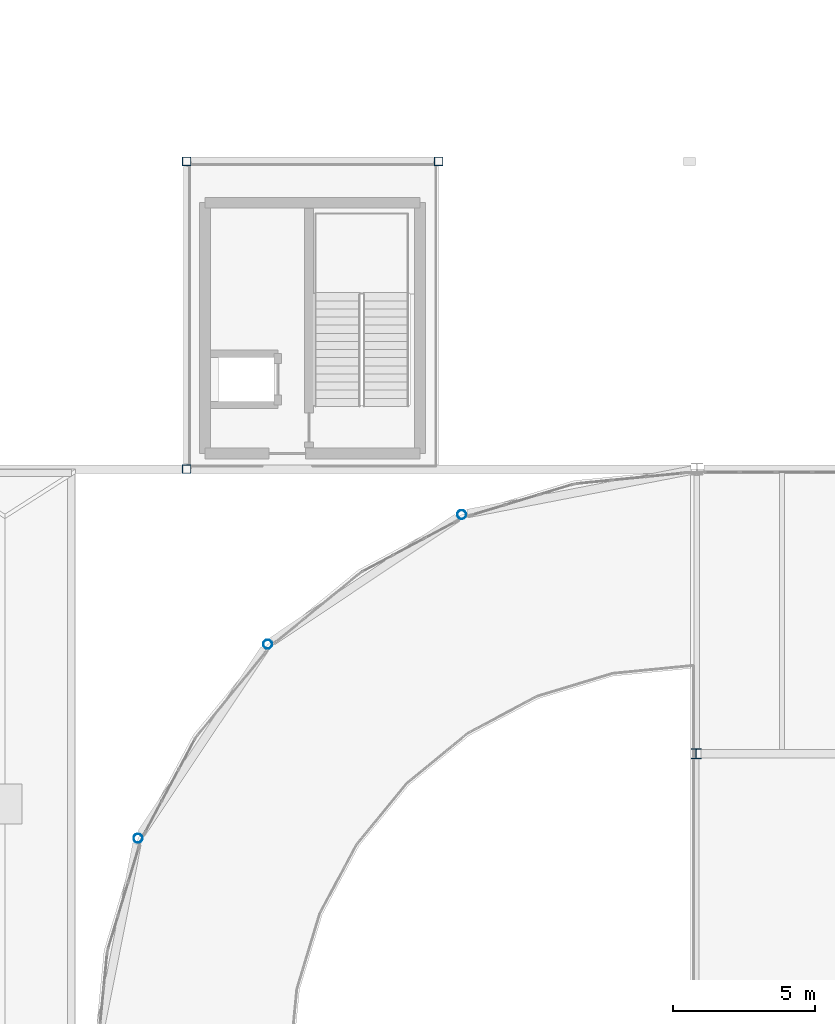
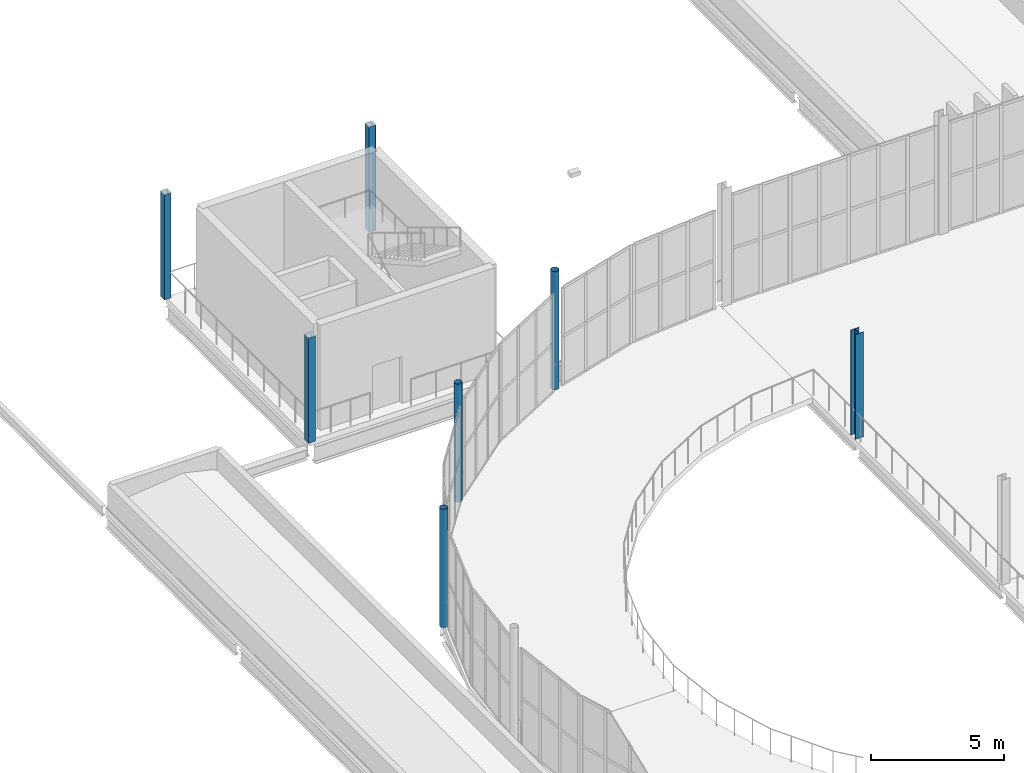
# One storey, part 7 of 112: 7 columns.
"""IFC4 building model written with IfcOpenShell, lengths in metres."""

from ifc_helpers import new_model, si_unit, direction, frame, origin, origin_2d, place, context, subcontext, project, spatial, hollow_rectangle, hollow_circle, i_section, extrude, material, material_profile, profile_set, type_object, element, save


model = new_model("IFC4")

# Units and contexts
model_context = context("Model", 3, precision=1e-05, world=origin(), true_north=direction((0.0, 1.0)))
body_context = subcontext(model_context, "Body", "Model", "MODEL_VIEW")
ifc_project = project(units=[si_unit("LENGTHUNIT", "METRE"), si_unit("AREAUNIT", "SQUARE_METRE"), si_unit("VOLUMEUNIT", "CUBIC_METRE"), si_unit("PLANEANGLEUNIT", "RADIAN"), si_unit("MASSUNIT", "GRAM", prefix="KILO")], contexts=[model_context])

# Site, building, storey
site_placement = place(None, origin())
site = spatial("IfcSite", under=ifc_project, at=site_placement, CompositionType="ELEMENT")
building_placement = place(site_placement, origin())
building = spatial("IfcBuilding", under=site, at=building_placement, Name="Yeouljin Market Hall", CompositionType="ELEMENT")
storey_placement = place(building_placement, frame((0.0, 0.0, 6.0)))
storey = spatial("IfcBuildingStorey", under=building, at=storey_placement, Name="L01", CompositionType="ELEMENT", Elevation=6.0)

# Columns
ifc_material_1 = material(Name="Steel SM355", Category="steel")
ifc_material_profile_1 = material_profile(ifc_material_1, hollow_circle(Radius=0.1591796875, WallThickness=0.010009765625, at=origin_2d()), Name="CHS-318.5x10")
ifc_profile_set_1 = profile_set([ifc_material_profile_1], Name="Steel SM355")
column_type_1 = type_object("IfcColumnType", Name="Col_CHS-318.5x10", PredefinedType="COLUMN", material=ifc_profile_set_1)
for number, where, z_axis, x_axis, name in (
    (1, (15.99853515625, 65.036376953125, 0.0), (0.0, 0.0, 1.0), (1.0, 0.0, 0.0), "Column AP-W10 (L01)"),
    (2, (20.55078125, 71.84912109375, 0.0), (0.0, 0.0, 1.0), (1.0, 0.0, 0.0), "Column AP-W12 (L01)"),
    (3, (27.363525390625, 76.401611328125, 0.0), (0.0, 0.0, 1.0), (1.0, 0.0, 0.0), "Column AP-W14 (L01)"),
):
    element("IfcColumn", number, at=place(storey_placement, frame(where, z_axis=z_axis, x_axis=x_axis)), inside=storey, type_object=column_type_1, Name=name, PredefinedType="COLUMN", context=body_context, shape_type="SweptSolid", body=[
        extrude(hollow_circle(Radius=0.1591796875, WallThickness=0.010009765625, at=origin_2d()), origin(), (0.0, 0.0, 1.0), 5.39990234375),
    ])
ifc_material_2 = material(Name="Steel SM355", Category="steel")
ifc_material_profile_2 = material_profile(ifc_material_2, i_section(OverallWidth=0.35009765625, OverallDepth=0.35009765625, WebThickness=0.011962890625, FlangeThickness=0.01904296875, FilletRadius=0.02001953125, at=origin_2d()), Name="H-350x350x12x19")
ifc_profile_set_2 = profile_set([ifc_material_profile_2], Name="Steel SM355")
column_type_2 = type_object("IfcColumnType", Name="Col_H-350x350x12x19", PredefinedType="COLUMN", material=ifc_profile_set_2)
column_placement = place(storey_placement, frame((35.590087890625, 68.0, 0.0), z_axis=(0.0, 0.0, 1.0), x_axis=(1.0, 0.0, 0.0)))
element("IfcColumn", 4, at=column_placement, inside=storey, type_object=column_type_2, Name="Column G-05-07 (L01)", PredefinedType="COLUMN", context=body_context, shape_type="SweptSolid", body=[
    extrude(i_section(OverallWidth=0.35009765625, OverallDepth=0.35009765625, WebThickness=0.011962890625, FlangeThickness=0.01904296875, FilletRadius=0.02001953125, at=origin_2d()), origin(), (0.0, 0.0, 1.0), 4.800048828125),
])
ifc_material_3 = material(Name="Steel SM355", Category="steel")
ifc_material_profile_3 = material_profile(ifc_material_3, hollow_rectangle(XDim=0.300048828125, YDim=0.300048828125, WallThickness=0.010009765625, InnerFilletRadius=0.010009765625, OuterFilletRadius=0.01611328125, at=origin_2d()), Name="SHS-300x300x10")
ifc_profile_set_3 = profile_set([ifc_material_profile_3], Name="Steel SM355")
column_type_3 = type_object("IfcColumnType", Name="Col_SHS-300x300x10", PredefinedType="COLUMN", material=ifc_profile_set_3)
for number, where, z_axis, x_axis, name in (
    (5, (17.699951171875, 78.0, 0.0), (0.0, 0.0, 1.0), (1.0, 0.0, 0.0), "Column G-02-08 (L01)"),
    (6, (17.699951171875, 88.800048828125, 0.0), (0.0, 0.0, 1.0), (1.0, 0.0, 0.0), "Column G-02-09 (L01)"),
    (7, (26.550048828125, 88.800048828125, 0.0), (0.0, 0.0, 1.0), (1.0, 0.0, 0.0), "Column G-03-09 (L01)"),
):
    element("IfcColumn", number, at=place(storey_placement, frame(where, z_axis=z_axis, x_axis=x_axis)), inside=storey, type_object=column_type_3, Name=name, PredefinedType="COLUMN", context=body_context, shape_type="SweptSolid", body=[
        extrude(hollow_rectangle(XDim=0.300048828125, YDim=0.300048828125, WallThickness=0.010009765625, InnerFilletRadius=0.010009765625, OuterFilletRadius=0.01611328125, at=origin_2d()), origin(), (0.0, 0.0, 1.0), 4.800048828125),
    ])

save(model, "model.ifc")
